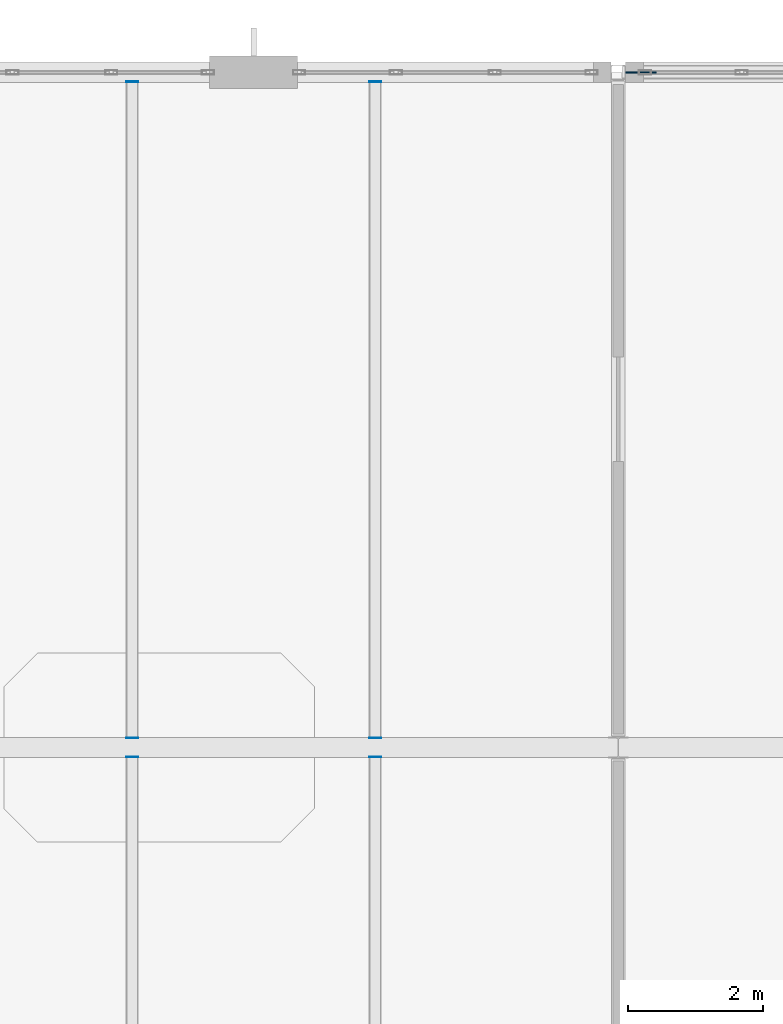
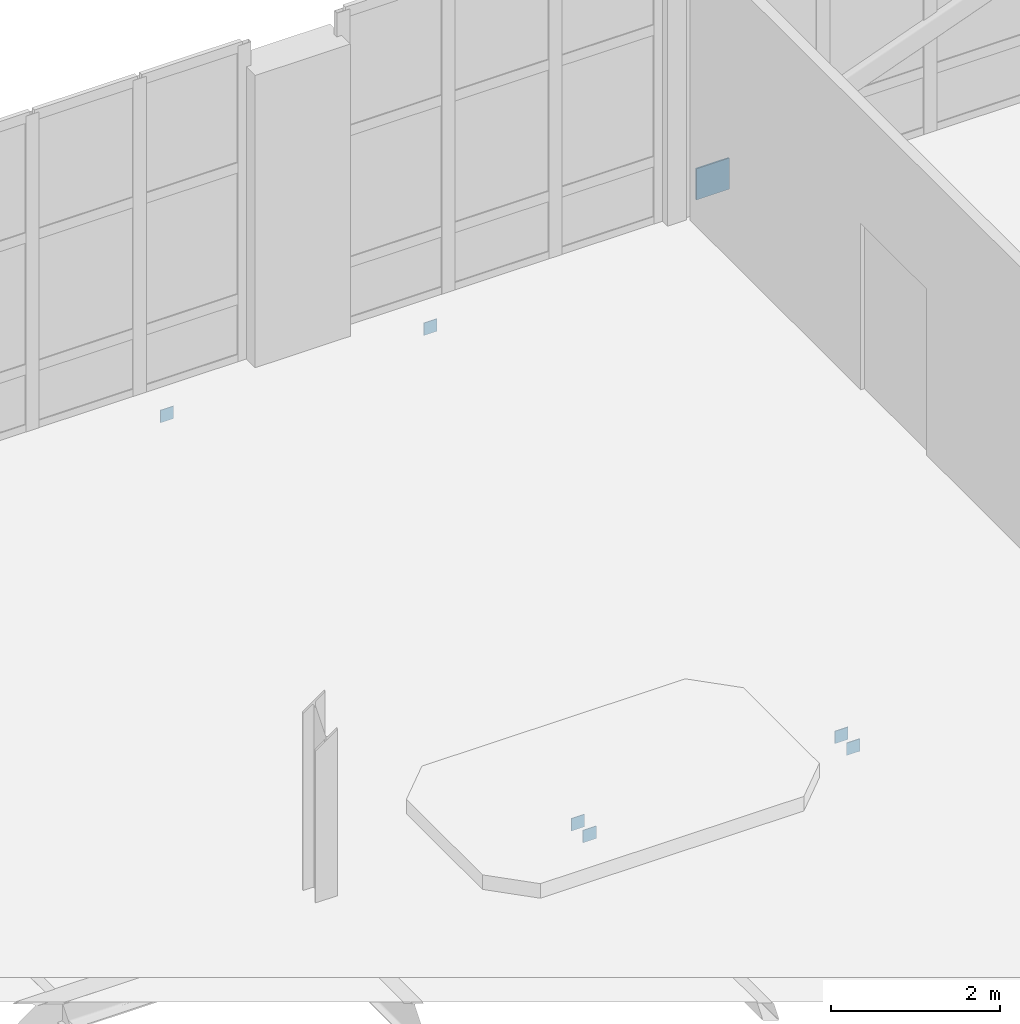
# One storey, part 72 of 86: 7 plates.
"""IFC4 building model written with IfcOpenShell, lengths in metres."""

from ifc_helpers import new_model, si_unit, direction, frame, origin, origin_2d, place, context, subcontext, project, spatial, rectangle, extrude, material, layer, layer_set, type_object, element, save


model = new_model("IFC4")

# Units and contexts
model_context = context("Model", 3, precision=1e-05, world=origin(), true_north=direction((0.0, 1.0)))
body_context = subcontext(model_context, "Body", "Model", "MODEL_VIEW")
ifc_project = project(units=[si_unit("LENGTHUNIT", "METRE"), si_unit("AREAUNIT", "SQUARE_METRE"), si_unit("VOLUMEUNIT", "CUBIC_METRE"), si_unit("PLANEANGLEUNIT", "RADIAN"), si_unit("MASSUNIT", "GRAM", prefix="KILO")], contexts=[model_context])

# Site, building, storey
site_placement = place(None, origin())
site = spatial("IfcSite", under=ifc_project, at=site_placement, CompositionType="ELEMENT")
building_placement = place(site_placement, origin())
building = spatial("IfcBuilding", under=site, at=building_placement, Name="Tasgan Crest Museum", CompositionType="ELEMENT")
storey_placement = place(building_placement, frame((0.0, 0.0, 24.0)))
storey = spatial("IfcBuildingStorey", under=building, at=storey_placement, Name="L04", CompositionType="ELEMENT", Elevation=24.0)

# Plates
ifc_material_1 = material(Name="Steel S355K2", Category="steel")
ifc_layer_1 = layer(ifc_material_1, 0.179931640625, Name="PL-CAP-10x180x180")
ifc_layer_set_1 = layer_set([ifc_layer_1], Name="Steel S355K2")
plate_type_1 = type_object("IfcPlateType", Name="PL-CAP-10x180x180", PredefinedType="USERDEFINED", material=ifc_layer_set_1)
for number, where, z_axis, x_axis, name in (
    (1, (57.60009765625, 102.139892578125, -0.419921875), (0.0, 0.0, 1.0), (0.0, 1.0, 0.0), "End plate Secondary joist L04 X=57.6 Y=102.0-112.0 end A"),
    (2, (57.60009765625, 111.860107421875, -0.419921875), (0.0, 0.0, 1.0), (0.0, 1.0, 0.0), "End plate Secondary joist L04 X=57.6 Y=102.0-112.0 end B"),
    (3, (61.199951171875, 102.139892578125, -0.419921875), (0.0, 0.0, 1.0), (0.0, 1.0, 0.0), "End plate Secondary joist L04 X=61.2 Y=102.0-112.0 end A"),
    (4, (61.199951171875, 111.860107421875, -0.419921875), (0.0, 0.0, 1.0), (0.0, 1.0, 0.0), "End plate Secondary joist L04 X=61.2 Y=102.0-112.0 end B"),
    (5, (57.60009765625, 101.860107421875, -0.419921875), (0.0, 0.0, 1.0), (0.0, 1.0, 0.0), "End plate Secondary joist L04 X=57.6 Y=92.0-102.0 end B"),
    (6, (61.199951171875, 101.860107421875, -0.419921875), (0.0, 0.0, 1.0), (0.0, 1.0, 0.0), "End plate Secondary joist L04 X=61.2 Y=92.0-102.0 end B"),
):
    element("IfcPlate", number, at=place(storey_placement, frame(where, z_axis=z_axis, x_axis=x_axis)), inside=storey, type_object=plate_type_1, Name=name, ObjectType="END PLATE", PredefinedType="USERDEFINED", context=body_context, shape_type="SweptSolid", body=[
        extrude(rectangle(XDim=0.010009765625, YDim=0.179931640625, at=origin_2d()), origin(), (0.0, 0.0, 1.0), 0.179931640625),
    ])
ifc_material_2 = material(Name="Steel S355K2", Category="steel")
ifc_layer_2 = layer(ifc_material_2, 0.02001953125, Name="PL-GUSSET-450")
ifc_layer_set_2 = layer_set([ifc_layer_2], Name="Steel S355K2")
plate_type_2 = type_object("IfcPlateType", Name="PL-GUSSET-450", PredefinedType="USERDEFINED", material=ifc_layer_set_2)
plate_placement = place(storey_placement, frame((65.135009765625, 112.0, 0.125), z_axis=(0.0, 0.0, 1.0), x_axis=(1.0, 0.0, 0.0)))
element("IfcPlate", 7, at=plate_placement, inside=storey, type_object=plate_type_2, Name="Diagonal gusset plate L04 M 64.8", ObjectType="GUSSET PLATE", PredefinedType="USERDEFINED", context=body_context, shape_type="SweptSolid", body=[
    extrude(rectangle(XDim=0.449951171875, YDim=0.02001953125, at=origin_2d()), origin(), (0.0, 0.0, 1.0), 0.449951171875),
])

save(model, "model.ifc")
